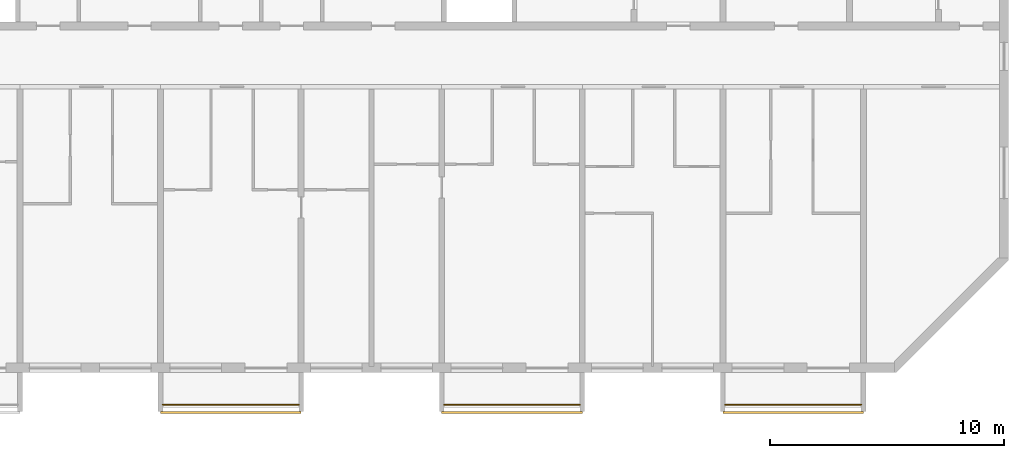
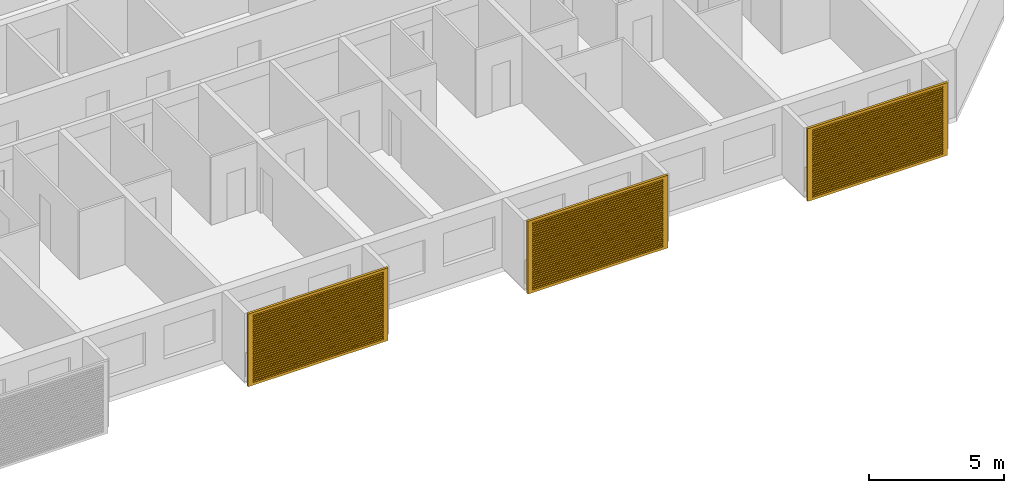
# One storey, part 14 of 27: 3 railings, 3 shading devices.
"""IFC4 building model written with IfcOpenShell, lengths in metres."""

from ifc_helpers import new_model, si_unit, direction, frame, origin, origin_2d, place, context, subcontext, project, spatial, polyline, circle, outline, extrude, source, transform, mapped, material, material_profile, profile_set, type_object, element, save


model = new_model("IFC4")

# Units and contexts
model_context = context("Model", 3, precision=1e-05, world=origin(), true_north=direction((0.0, 1.0)))
body_context = subcontext(model_context, "Body", "Model", "MODEL_VIEW")
ifc_project = project(units=[si_unit("LENGTHUNIT", "METRE"), si_unit("AREAUNIT", "SQUARE_METRE"), si_unit("VOLUMEUNIT", "CUBIC_METRE"), si_unit("PLANEANGLEUNIT", "RADIAN"), si_unit("MASSUNIT", "GRAM", prefix="KILO")], contexts=[model_context])

# Site, building, storey
site_placement = place(None, origin())
site = spatial("IfcSite", under=ifc_project, at=site_placement, CompositionType="ELEMENT")
building_placement = place(site_placement, origin())
building = spatial("IfcBuilding", under=site, at=building_placement, Name="Poui Terraces", CompositionType="ELEMENT")
storey_placement = place(building_placement, frame((0.0, 0.0, 254.39990234375)))
storey = spatial("IfcBuildingStorey", under=building, at=storey_placement, Name="L71", CompositionType="ELEMENT", Elevation=254.39990234375)

# Railings
ifc_material_1 = material(Name="Painted steel fretwork", Category="steel")
railing_type = type_object("IfcRailingType", Name="BALCONY GUARD 1100", PredefinedType="GUARDRAIL", material=ifc_material_1)
for number, where, name in (
    (1, (48.10009765625, -1.570068359375, 0.0), "BALCONY GUARD"),
    (2, (60.10009765625, -1.570068359375, 0.0), "BALCONY GUARD"),
    (3, (72.10009765625, -1.570068359375, 0.0), "BALCONY GUARD"),
):
    element("IfcRailing", number, at=place(storey_placement, frame(where)), inside=storey, type_object=railing_type, Name=name, PredefinedType="GUARDRAIL", context=body_context, shape_type="SweptSolid", body=[
        extrude(circle(Radius=0.02392578125, at=origin_2d()), frame((0.0, 0.0, 1.076171875), z_axis=(1.0, 0.0, 0.0), x_axis=(0.0, 1.0, 0.0)), (0.0, 0.0, 1.0), 5.7998046875),
        extrude(circle(Radius=0.02099609375, at=origin_2d()), origin(), (0.0, 0.0, 1.0), 1.052001953125),
        extrude(circle(Radius=0.02099609375, at=origin_2d()), frame((0.966552734375, 0.0, 0.0)), (0.0, 0.0, 1.0), 1.052001953125),
        extrude(circle(Radius=0.02099609375, at=origin_2d()), frame((1.933349609375, 0.0, 0.0)), (0.0, 0.0, 1.0), 1.052001953125),
        extrude(circle(Radius=0.02099609375, at=origin_2d()), frame((2.89990234375, 0.0, 0.0)), (0.0, 0.0, 1.0), 1.052001953125),
        extrude(circle(Radius=0.02099609375, at=origin_2d()), frame((3.866455078125, 0.0, 0.0)), (0.0, 0.0, 1.0), 1.052001953125),
        extrude(circle(Radius=0.02099609375, at=origin_2d()), frame((4.833251953125, 0.0, 0.0)), (0.0, 0.0, 1.0), 1.052001953125),
        extrude(circle(Radius=0.02099609375, at=origin_2d()), frame((5.7998046875, 0.0, 0.0)), (0.0, 0.0, 1.0), 1.052001953125),
    ])

# Shading devices
ifc_material_2 = material(Name="Aluminium louvre", Category="aluminium")
ifc_material_profile = material_profile(ifc_material_2, outline(polyline([(-3.0, -1.64990234375), (3.0, -1.64990234375), (3.0, 1.64990234375), (-3.0, 1.64990234375), (-3.0, -1.64990234375)]), holes=[polyline([(-2.800048828125, -1.530029296875), (2.800048828125, -1.530029296875), (2.800048828125, -1.469970703125), (-2.800048828125, -1.469970703125), (-2.800048828125, -1.530029296875)]), polyline([(-2.800048828125, -1.429931640625), (2.800048828125, -1.429931640625), (2.800048828125, -1.3701171875), (-2.800048828125, -1.3701171875), (-2.800048828125, -1.429931640625)]), polyline([(-2.800048828125, -1.330078125), (2.800048828125, -1.330078125), (2.800048828125, -1.27001953125), (-2.800048828125, -1.27001953125), (-2.800048828125, -1.330078125)]), polyline([(-2.800048828125, -1.22998046875), (2.800048828125, -1.22998046875), (2.800048828125, -1.169921875), (-2.800048828125, -1.169921875), (-2.800048828125, -1.22998046875)]), polyline([(-2.800048828125, -1.1298828125), (2.800048828125, -1.1298828125), (2.800048828125, -1.070068359375), (-2.800048828125, -1.070068359375), (-2.800048828125, -1.1298828125)]), polyline([(-2.800048828125, -1.030029296875), (2.800048828125, -1.030029296875), (2.800048828125, -0.969970703125), (-2.800048828125, -0.969970703125), (-2.800048828125, -1.030029296875)]), polyline([(-2.800048828125, -0.929931640625), (2.800048828125, -0.929931640625), (2.800048828125, -0.8701171875), (-2.800048828125, -0.8701171875), (-2.800048828125, -0.929931640625)]), polyline([(-2.800048828125, -0.830078125), (2.800048828125, -0.830078125), (2.800048828125, -0.77001953125), (-2.800048828125, -0.77001953125), (-2.800048828125, -0.830078125)]), polyline([(-2.800048828125, -0.72998046875), (2.800048828125, -0.72998046875), (2.800048828125, -0.669921875), (-2.800048828125, -0.669921875), (-2.800048828125, -0.72998046875)]), polyline([(-2.800048828125, -0.6298828125), (2.800048828125, -0.6298828125), (2.800048828125, -0.570068359375), (-2.800048828125, -0.570068359375), (-2.800048828125, -0.6298828125)]), polyline([(-2.800048828125, -0.530029296875), (2.800048828125, -0.530029296875), (2.800048828125, -0.469970703125), (-2.800048828125, -0.469970703125), (-2.800048828125, -0.530029296875)]), polyline([(-2.800048828125, -0.429931640625), (2.800048828125, -0.429931640625), (2.800048828125, -0.3701171875), (-2.800048828125, -0.3701171875), (-2.800048828125, -0.429931640625)]), polyline([(-2.800048828125, -0.330078125), (2.800048828125, -0.330078125), (2.800048828125, -0.27001953125), (-2.800048828125, -0.27001953125), (-2.800048828125, -0.330078125)]), polyline([(-2.800048828125, -0.22998046875), (2.800048828125, -0.22998046875), (2.800048828125, -0.169921875), (-2.800048828125, -0.169921875), (-2.800048828125, -0.22998046875)]), polyline([(-2.800048828125, -0.1298828125), (2.800048828125, -0.1298828125), (2.800048828125, -0.070068359375), (-2.800048828125, -0.070068359375), (-2.800048828125, -0.1298828125)]), polyline([(-2.800048828125, -0.030029296875), (2.800048828125, -0.030029296875), (2.800048828125, 0.030029296875), (-2.800048828125, 0.030029296875), (-2.800048828125, -0.030029296875)]), polyline([(-2.800048828125, 0.070068359375), (2.800048828125, 0.070068359375), (2.800048828125, 0.1298828125), (-2.800048828125, 0.1298828125), (-2.800048828125, 0.070068359375)]), polyline([(-2.800048828125, 0.169921875), (2.800048828125, 0.169921875), (2.800048828125, 0.22998046875), (-2.800048828125, 0.22998046875), (-2.800048828125, 0.169921875)]), polyline([(-2.800048828125, 0.27001953125), (2.800048828125, 0.27001953125), (2.800048828125, 0.330078125), (-2.800048828125, 0.330078125), (-2.800048828125, 0.27001953125)]), polyline([(-2.800048828125, 0.3701171875), (2.800048828125, 0.3701171875), (2.800048828125, 0.429931640625), (-2.800048828125, 0.429931640625), (-2.800048828125, 0.3701171875)]), polyline([(-2.800048828125, 0.469970703125), (2.800048828125, 0.469970703125), (2.800048828125, 0.530029296875), (-2.800048828125, 0.530029296875), (-2.800048828125, 0.469970703125)]), polyline([(-2.800048828125, 0.570068359375), (2.800048828125, 0.570068359375), (2.800048828125, 0.6298828125), (-2.800048828125, 0.6298828125), (-2.800048828125, 0.570068359375)]), polyline([(-2.800048828125, 0.669921875), (2.800048828125, 0.669921875), (2.800048828125, 0.72998046875), (-2.800048828125, 0.72998046875), (-2.800048828125, 0.669921875)]), polyline([(-2.800048828125, 0.77001953125), (2.800048828125, 0.77001953125), (2.800048828125, 0.830078125), (-2.800048828125, 0.830078125), (-2.800048828125, 0.77001953125)]), polyline([(-2.800048828125, 0.8701171875), (2.800048828125, 0.8701171875), (2.800048828125, 0.929931640625), (-2.800048828125, 0.929931640625), (-2.800048828125, 0.8701171875)]), polyline([(-2.800048828125, 0.969970703125), (2.800048828125, 0.969970703125), (2.800048828125, 1.030029296875), (-2.800048828125, 1.030029296875), (-2.800048828125, 0.969970703125)]), polyline([(-2.800048828125, 1.070068359375), (2.800048828125, 1.070068359375), (2.800048828125, 1.1298828125), (-2.800048828125, 1.1298828125), (-2.800048828125, 1.070068359375)]), polyline([(-2.800048828125, 1.169921875), (2.800048828125, 1.169921875), (2.800048828125, 1.22998046875), (-2.800048828125, 1.22998046875), (-2.800048828125, 1.169921875)]), polyline([(-2.800048828125, 1.27001953125), (2.800048828125, 1.27001953125), (2.800048828125, 1.330078125), (-2.800048828125, 1.330078125), (-2.800048828125, 1.27001953125)]), polyline([(-2.800048828125, 1.3701171875), (2.800048828125, 1.3701171875), (2.800048828125, 1.429931640625), (-2.800048828125, 1.429931640625), (-2.800048828125, 1.3701171875)]), polyline([(-2.800048828125, 1.469970703125), (2.800048828125, 1.469970703125), (2.800048828125, 1.530029296875), (-2.800048828125, 1.530029296875), (-2.800048828125, 1.469970703125)])]), Name="JALOUSIE LOUVRE SHUTTER 6000X3300")
ifc_profile_set = profile_set([ifc_material_profile], Name="Aluminium louvre")
shading_device_type = type_object("IfcShadingDeviceType", Name="JALOUSIE LOUVRE SHUTTER 6000X3300", PredefinedType="JALOUSIE", material=ifc_profile_set)
shared_shape = source(origin(), body_context, "Body", "SweptSolid", [
    extrude(outline(polyline([(-3.0, -1.64990234375), (3.0, -1.64990234375), (3.0, 1.64990234375), (-3.0, 1.64990234375), (-3.0, -1.64990234375)]), holes=[polyline([(-2.800048828125, -1.530029296875), (2.800048828125, -1.530029296875), (2.800048828125, -1.469970703125), (-2.800048828125, -1.469970703125), (-2.800048828125, -1.530029296875)]), polyline([(-2.800048828125, -1.429931640625), (2.800048828125, -1.429931640625), (2.800048828125, -1.3701171875), (-2.800048828125, -1.3701171875), (-2.800048828125, -1.429931640625)]), polyline([(-2.800048828125, -1.330078125), (2.800048828125, -1.330078125), (2.800048828125, -1.27001953125), (-2.800048828125, -1.27001953125), (-2.800048828125, -1.330078125)]), polyline([(-2.800048828125, -1.22998046875), (2.800048828125, -1.22998046875), (2.800048828125, -1.169921875), (-2.800048828125, -1.169921875), (-2.800048828125, -1.22998046875)]), polyline([(-2.800048828125, -1.1298828125), (2.800048828125, -1.1298828125), (2.800048828125, -1.070068359375), (-2.800048828125, -1.070068359375), (-2.800048828125, -1.1298828125)]), polyline([(-2.800048828125, -1.030029296875), (2.800048828125, -1.030029296875), (2.800048828125, -0.969970703125), (-2.800048828125, -0.969970703125), (-2.800048828125, -1.030029296875)]), polyline([(-2.800048828125, -0.929931640625), (2.800048828125, -0.929931640625), (2.800048828125, -0.8701171875), (-2.800048828125, -0.8701171875), (-2.800048828125, -0.929931640625)]), polyline([(-2.800048828125, -0.830078125), (2.800048828125, -0.830078125), (2.800048828125, -0.77001953125), (-2.800048828125, -0.77001953125), (-2.800048828125, -0.830078125)]), polyline([(-2.800048828125, -0.72998046875), (2.800048828125, -0.72998046875), (2.800048828125, -0.669921875), (-2.800048828125, -0.669921875), (-2.800048828125, -0.72998046875)]), polyline([(-2.800048828125, -0.6298828125), (2.800048828125, -0.6298828125), (2.800048828125, -0.570068359375), (-2.800048828125, -0.570068359375), (-2.800048828125, -0.6298828125)]), polyline([(-2.800048828125, -0.530029296875), (2.800048828125, -0.530029296875), (2.800048828125, -0.469970703125), (-2.800048828125, -0.469970703125), (-2.800048828125, -0.530029296875)]), polyline([(-2.800048828125, -0.429931640625), (2.800048828125, -0.429931640625), (2.800048828125, -0.3701171875), (-2.800048828125, -0.3701171875), (-2.800048828125, -0.429931640625)]), polyline([(-2.800048828125, -0.330078125), (2.800048828125, -0.330078125), (2.800048828125, -0.27001953125), (-2.800048828125, -0.27001953125), (-2.800048828125, -0.330078125)]), polyline([(-2.800048828125, -0.22998046875), (2.800048828125, -0.22998046875), (2.800048828125, -0.169921875), (-2.800048828125, -0.169921875), (-2.800048828125, -0.22998046875)]), polyline([(-2.800048828125, -0.1298828125), (2.800048828125, -0.1298828125), (2.800048828125, -0.070068359375), (-2.800048828125, -0.070068359375), (-2.800048828125, -0.1298828125)]), polyline([(-2.800048828125, -0.030029296875), (2.800048828125, -0.030029296875), (2.800048828125, 0.030029296875), (-2.800048828125, 0.030029296875), (-2.800048828125, -0.030029296875)]), polyline([(-2.800048828125, 0.070068359375), (2.800048828125, 0.070068359375), (2.800048828125, 0.1298828125), (-2.800048828125, 0.1298828125), (-2.800048828125, 0.070068359375)]), polyline([(-2.800048828125, 0.169921875), (2.800048828125, 0.169921875), (2.800048828125, 0.22998046875), (-2.800048828125, 0.22998046875), (-2.800048828125, 0.169921875)]), polyline([(-2.800048828125, 0.27001953125), (2.800048828125, 0.27001953125), (2.800048828125, 0.330078125), (-2.800048828125, 0.330078125), (-2.800048828125, 0.27001953125)]), polyline([(-2.800048828125, 0.3701171875), (2.800048828125, 0.3701171875), (2.800048828125, 0.429931640625), (-2.800048828125, 0.429931640625), (-2.800048828125, 0.3701171875)]), polyline([(-2.800048828125, 0.469970703125), (2.800048828125, 0.469970703125), (2.800048828125, 0.530029296875), (-2.800048828125, 0.530029296875), (-2.800048828125, 0.469970703125)]), polyline([(-2.800048828125, 0.570068359375), (2.800048828125, 0.570068359375), (2.800048828125, 0.6298828125), (-2.800048828125, 0.6298828125), (-2.800048828125, 0.570068359375)]), polyline([(-2.800048828125, 0.669921875), (2.800048828125, 0.669921875), (2.800048828125, 0.72998046875), (-2.800048828125, 0.72998046875), (-2.800048828125, 0.669921875)]), polyline([(-2.800048828125, 0.77001953125), (2.800048828125, 0.77001953125), (2.800048828125, 0.830078125), (-2.800048828125, 0.830078125), (-2.800048828125, 0.77001953125)]), polyline([(-2.800048828125, 0.8701171875), (2.800048828125, 0.8701171875), (2.800048828125, 0.929931640625), (-2.800048828125, 0.929931640625), (-2.800048828125, 0.8701171875)]), polyline([(-2.800048828125, 0.969970703125), (2.800048828125, 0.969970703125), (2.800048828125, 1.030029296875), (-2.800048828125, 1.030029296875), (-2.800048828125, 0.969970703125)]), polyline([(-2.800048828125, 1.070068359375), (2.800048828125, 1.070068359375), (2.800048828125, 1.1298828125), (-2.800048828125, 1.1298828125), (-2.800048828125, 1.070068359375)]), polyline([(-2.800048828125, 1.169921875), (2.800048828125, 1.169921875), (2.800048828125, 1.22998046875), (-2.800048828125, 1.22998046875), (-2.800048828125, 1.169921875)]), polyline([(-2.800048828125, 1.27001953125), (2.800048828125, 1.27001953125), (2.800048828125, 1.330078125), (-2.800048828125, 1.330078125), (-2.800048828125, 1.27001953125)]), polyline([(-2.800048828125, 1.3701171875), (2.800048828125, 1.3701171875), (2.800048828125, 1.429931640625), (-2.800048828125, 1.429931640625), (-2.800048828125, 1.3701171875)]), polyline([(-2.800048828125, 1.469970703125), (2.800048828125, 1.469970703125), (2.800048828125, 1.530029296875), (-2.800048828125, 1.530029296875), (-2.800048828125, 1.469970703125)])]), origin(), (0.0, 0.0, 1.0), 0.099853515625),
])
for number, where, z_axis, x_axis, name in (
    (4, (51.0, -1.85009765625, 1.4501953125), (0.0, -1.0, 0.0), (1.0, 0.0, 0.0), "JALOUSIE LOUVRE SHUTTER"),
    (5, (63.0, -1.85009765625, 1.4501953125), (0.0, -1.0, 0.0), (1.0, 0.0, 0.0), "JALOUSIE LOUVRE SHUTTER"),
    (6, (75.0, -1.85009765625, 1.4501953125), (0.0, -1.0, 0.0), (1.0, 0.0, 0.0), "JALOUSIE LOUVRE SHUTTER"),
):
    element("IfcShadingDevice", number, at=place(storey_placement, frame(where, z_axis=z_axis, x_axis=x_axis)), inside=storey, type_object=shading_device_type, Name=name, PredefinedType="JALOUSIE", context=body_context, shape_type="MappedRepresentation", body=[
        mapped(shared_shape, transform((0.0, 0.0, 0.0))),
    ])

save(model, "model.ifc")
